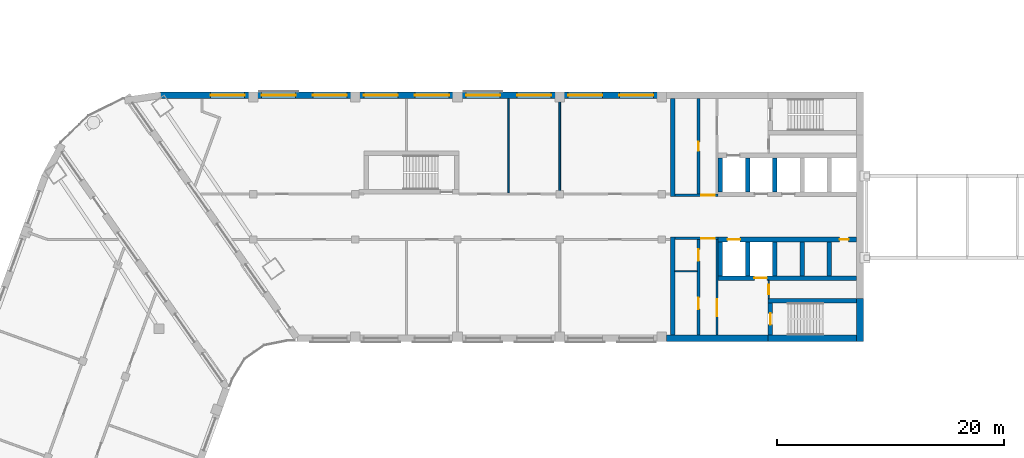
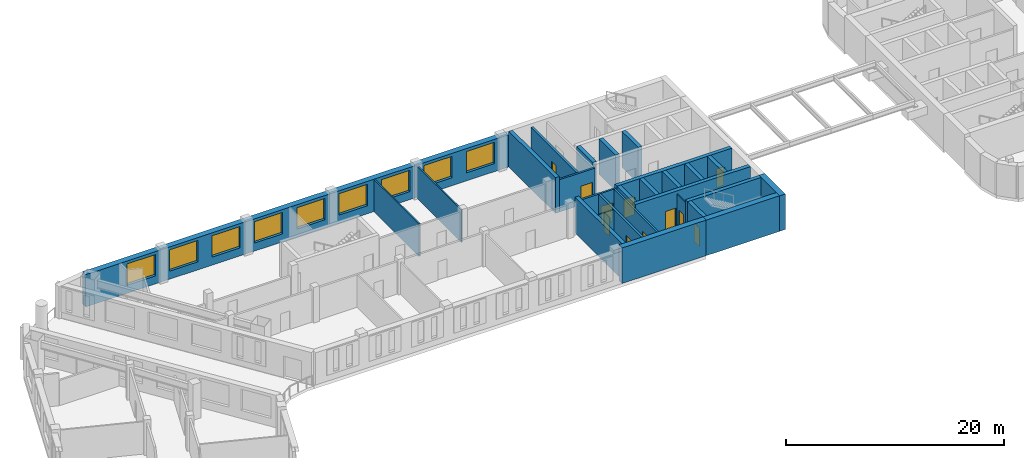
# One storey, part 6 of 14: 27 walls, 11 doors, 9 windows, 20 openings.
"""IFC4 building model written with IfcOpenShell, lengths in metres."""

from ifc_helpers import new_model, si_unit, direction, frame, frame_2d, origin, place, context, subcontext, project, spatial, rectangle, extrude, material, layer, layer_set, type_object, element, fill, save


model = new_model("IFC4")

# Units and contexts
model_context = context("Model", 3, precision=1e-05, world=origin(), true_north=direction((0.0, 1.0)))
body_context = subcontext(model_context, "Body", "Model", "MODEL_VIEW")
ifc_project = project(units=[si_unit("LENGTHUNIT", "METRE"), si_unit("AREAUNIT", "SQUARE_METRE"), si_unit("VOLUMEUNIT", "CUBIC_METRE"), si_unit("PLANEANGLEUNIT", "RADIAN"), si_unit("MASSUNIT", "GRAM", prefix="KILO")], contexts=[model_context])

# Site, building, storey
site_placement = place(None, origin())
site = spatial("IfcSite", under=ifc_project, at=site_placement, CompositionType="ELEMENT")
building_placement = place(site_placement, origin())
building = spatial("IfcBuilding", under=site, at=building_placement, Name="Skarvind Civic Tower", CompositionType="ELEMENT")
storey_placement = place(building_placement, frame((0.0, 0.0, 105.0)))
storey = spatial("IfcBuildingStorey", under=building, at=storey_placement, Name="L24", CompositionType="ELEMENT", Elevation=105.0)

# Wall, opening, door
ifc_material_1 = material(Name="Fire-rated masonry partition", Category="masonry")
ifc_layer_1 = layer(ifc_material_1, 0.199951171875)
ifc_layer_set_1 = layer_set([ifc_layer_1], Name="Core enclosure wall 200")
wall_type_1 = type_object("IfcWallType", Name="Core enclosure wall 200", PredefinedType="PARTITIONING", material=ifc_layer_set_1)
wall_1_placement = place(storey_placement, frame((95.199951171875, 126.10009765625, 0.0), z_axis=(0.0, 0.0, 1.0), x_axis=(-1.0, 0.0, 0.0)))
wall_1 = element("IfcWall", 1, at=wall_1_placement, inside=storey, type_object=wall_type_1, Name="Core wall C1", PredefinedType="PARTITIONING", context=body_context, shape_type="SweptSolid", body=[
    extrude(rectangle(XDim=3.800048828125, YDim=0.199951171875, at=frame_2d((1.89990234375, 0.0))), origin(), (0.0, 0.0, 1.0), 3.625),
])
opening_1_placement = place(wall_1_placement, frame((0.300048828125, 0.0, 0.0)))
opening_1 = element("IfcOpeningElement", 2, at=opening_1_placement, cuts=wall_1, Name="Opening D-L24-C1-05", PredefinedType="OPENING", context=body_context, shape_type="SweptSolid", body=[
    extrude(rectangle(XDim=1.199951171875, YDim=2.10009765625, at=frame_2d((0.60009765625, 1.050048828125))), frame((0.0, 0.10986328125, 0.0), z_axis=(0.0, -1.0, 0.0), x_axis=(1.0, 0.0, 0.0)), (0.0, 0.0, 1.0), 0.219970703125),
])
ifc_material_2 = material(Name="Fire-rated steel door", Category="steel")
door_type_1 = type_object("IfcDoorType", Name="Core lobby door 1200", OperationType="NOTDEFINED", PredefinedType="DOOR", material=ifc_material_2)
door_1_placement = place(opening_1_placement, origin())
door_1 = element("IfcDoor", 3, at=door_1_placement, inside=storey, type_object=door_type_1, Name="Fire door", OperationType="DOUBLE_DOOR_SINGLE_SWING", OverallHeight=2.10009765625, OverallWidth=1.199951171875, PredefinedType="DOOR", context=body_context, shape_type="SweptSolid", body=[
    extrude(rectangle(XDim=1.199951171875, YDim=2.10009765625, at=frame_2d((0.60009765625, 1.050048828125))), frame((0.0, 0.02490234375, 0.0), z_axis=(0.0, -1.0, 0.0), x_axis=(1.0, 0.0, 0.0)), (0.0, 0.0, 1.0), 0.050048828125),
])
fill(opening_1, door_1)

wall_2_placement = place(storey_placement, frame((95.10009765625, 117.60009765625, 0.0), z_axis=(0.0, 0.0, 1.0), x_axis=(0.0, 1.0, 0.0)))
wall_2 = element("IfcWall", 4, at=wall_2_placement, inside=storey, type_object=wall_type_1, Name="Core wall C1", PredefinedType="PARTITIONING", context=body_context, shape_type="SweptSolid", body=[
    extrude(rectangle(XDim=8.39990234375, YDim=0.199951171875, at=frame_2d((4.199951171875, 0.0))), origin(), (0.0, 0.0, 1.0), 3.625),
])
opening_2_placement = place(wall_2_placement, frame((1.64990234375, 0.0, 0.0)))
opening_2 = element("IfcOpeningElement", 5, at=opening_2_placement, cuts=wall_2, Name="Opening D-L24-C1-06", PredefinedType="OPENING", context=body_context, shape_type="SweptSolid", body=[
    extrude(rectangle(XDim=1.5, YDim=2.10009765625, at=frame_2d((0.75, 1.050048828125))), frame((0.0, 0.10986328125, 0.0), z_axis=(0.0, -1.0, 0.0), x_axis=(1.0, 0.0, 0.0)), (0.0, 0.0, 1.0), 0.219970703125),
])
door_type_2 = type_object("IfcDoorType", Name="Fire door 1500", OperationType="NOTDEFINED", PredefinedType="DOOR", material=ifc_material_2)
door_2_placement = place(opening_2_placement, origin())
door_2 = element("IfcDoor", 6, at=door_2_placement, inside=storey, type_object=door_type_2, Name="Fire door", OperationType="DOUBLE_DOOR_SINGLE_SWING", OverallHeight=2.10009765625, OverallWidth=1.5, PredefinedType="DOOR", context=body_context, shape_type="SweptSolid", body=[
    extrude(rectangle(XDim=1.5, YDim=2.10009765625, at=frame_2d((0.75, 1.050048828125))), frame((0.0, 0.02490234375, 0.0), z_axis=(0.0, -1.0, 0.0), x_axis=(1.0, 0.0, 0.0)), (0.0, 0.0, 1.0), 0.050048828125),
])
fill(opening_2, door_2)

wall_3_placement = place(storey_placement, frame((91.39990234375, 129.89990234375, 0.0), z_axis=(0.0, 0.0, 1.0), x_axis=(1.0, 0.0, 0.0)))
wall_3 = element("IfcWall", 7, at=wall_3_placement, inside=storey, type_object=wall_type_1, Name="Core wall C1", PredefinedType="PARTITIONING", context=body_context, shape_type="SweptSolid", body=[
    extrude(rectangle(XDim=3.800048828125, YDim=0.199951171875, at=frame_2d((1.89990234375, 0.0))), origin(), (0.0, 0.0, 1.0), 3.625),
])
opening_3_placement = place(wall_3_placement, frame((2.300048828125, 0.0, 0.0)))
opening_3 = element("IfcOpeningElement", 8, at=opening_3_placement, cuts=wall_3, Name="Opening D-L24-C1-11", PredefinedType="OPENING", context=body_context, shape_type="SweptSolid", body=[
    extrude(rectangle(XDim=1.199951171875, YDim=2.10009765625, at=frame_2d((0.60009765625, 1.050048828125))), frame((0.0, 0.10986328125, 0.0), z_axis=(0.0, -1.0, 0.0), x_axis=(1.0, 0.0, 0.0)), (0.0, 0.0, 1.0), 0.219970703125),
])
door_3_placement = place(opening_3_placement, origin())
door_3 = element("IfcDoor", 9, at=door_3_placement, inside=storey, type_object=door_type_1, Name="Fire door", OperationType="DOUBLE_DOOR_SINGLE_SWING", OverallHeight=2.10009765625, OverallWidth=1.199951171875, PredefinedType="DOOR", context=body_context, shape_type="SweptSolid", body=[
    extrude(rectangle(XDim=1.199951171875, YDim=2.10009765625, at=frame_2d((0.60009765625, 1.050048828125))), frame((0.0, 0.02490234375, 0.0), z_axis=(0.0, -1.0, 0.0), x_axis=(1.0, 0.0, 0.0)), (0.0, 0.0, 1.0), 0.050048828125),
])
fill(opening_3, door_3)

# Walls
ifc_material_3 = material(Name="Fire-rated plasterboard partition")
ifc_layer_2 = layer(ifc_material_3, 0.10009765625)
ifc_layer_set_2 = layer_set([ifc_layer_2], Name="Core partition wall 100")
wall_type_2 = type_object("IfcWallType", Name="Core partition wall 100", PredefinedType="PARTITIONING", material=ifc_layer_set_2)
wall_4_placement = place(storey_placement, frame((93.35009765625, 123.199951171875, 0.0), z_axis=(0.0, 0.0, 1.0), x_axis=(-1.0, 0.0, 0.0)))
element("IfcWall", 10, at=wall_4_placement, inside=storey, type_object=wall_type_2, Name="Core wall C1", PredefinedType="PARTITIONING", context=body_context, shape_type="SweptSolid", body=[
    extrude(rectangle(XDim=1.9501953125, YDim=0.10009765625, at=frame_2d((0.97509765625, 0.0))), origin(), (0.0, 0.0, 1.0), 3.625),
])
ifc_material_4 = material(Name="Concrete C80", Category="concrete")
ifc_layer_3 = layer(ifc_material_4, 0.39990234375)
ifc_layer_set_3 = layer_set([ifc_layer_3], Name="Core wall 400 C80")
wall_type_3 = type_object("IfcWallType", Name="Core wall 400 C80", PredefinedType="SHEAR", material=ifc_layer_set_3)
wall_5_placement = place(storey_placement, frame((107.39990234375, 120.60009765625, 0.0), z_axis=(0.0, 0.0, 1.0), x_axis=(-1.0, 0.0, 0.0)))
element("IfcWall", 11, at=wall_5_placement, inside=storey, type_object=wall_type_3, Name="Core wall C1 north stair inner L24", PredefinedType="SHEAR", context=body_context, shape_type="SweptSolid", body=[
    extrude(rectangle(XDim=7.7998046875, YDim=0.39990234375, at=frame_2d((3.89990234375, 0.0))), origin(), (0.0, 0.0, 1.0), 4.0),
])

# Wall, opening, door
wall_6_placement = place(storey_placement, frame((99.800048828125, 120.39990234375, 0.0), z_axis=(0.0, 0.0, 1.0), x_axis=(0.0, -1.0, 0.0)))
wall_6 = element("IfcWall", 12, at=wall_6_placement, inside=storey, type_object=wall_type_3, Name="Core wall C1 north stair end L24", PredefinedType="SHEAR", context=body_context, shape_type="SweptSolid", body=[
    extrude(rectangle(XDim=2.7998046875, YDim=0.39990234375, at=frame_2d((1.39990234375, 0.0))), origin(), (0.0, 0.0, 1.0), 4.0),
])
opening_4_placement = place(wall_6_placement, frame((0.89990234375, 0.0, 0.0)))
opening_4 = element("IfcOpeningElement", 13, at=opening_4_placement, cuts=wall_6, Name="Opening D-L24-C1-07", PredefinedType="OPENING", context=body_context, shape_type="SweptSolid", body=[
    extrude(rectangle(XDim=1.0, YDim=2.10009765625, at=frame_2d((0.5, 1.050048828125))), frame((0.0, 0.2099609375, 0.0), z_axis=(0.0, -1.0, 0.0), x_axis=(1.0, 0.0, 0.0)), (0.0, 0.0, 1.0), 0.419921875),
])
door_type_3 = type_object("IfcDoorType", Name="Fire door 1000", OperationType="NOTDEFINED", PredefinedType="DOOR", material=ifc_material_2)
door_4_placement = place(opening_4_placement, origin())
door_4 = element("IfcDoor", 14, at=door_4_placement, inside=storey, type_object=door_type_3, Name="Fire door", OperationType="SINGLE_SWING_LEFT", OverallHeight=2.10009765625, OverallWidth=1.0, PredefinedType="DOOR", context=body_context, shape_type="SweptSolid", body=[
    extrude(rectangle(XDim=1.0, YDim=2.10009765625, at=frame_2d((0.5, 1.050048828125))), frame((0.0, 0.02490234375, 0.0), z_axis=(0.0, -1.0, 0.0), x_axis=(1.0, 0.0, 0.0)), (0.0, 0.0, 1.0), 0.050048828125),
])
fill(opening_4, door_4)

# Walls
for number, where, z_axis, x_axis, name in (
    (15, (100.199951171875, 133.199951171875, 0.0), (0.0, 0.0, 1.0), (0.0, -1.0, 0.0), "Core wall C1 south lift row division 3 L24"),
    (16, (97.800048828125, 133.199951171875, 0.0), (0.0, 0.0, 1.0), (0.0, -1.0, 0.0), "Core wall C1 south lift row division 4 L24"),
    (17, (95.39990234375, 133.199951171875, 0.0), (0.0, 0.0, 1.0), (0.0, -1.0, 0.0), "Core wall C1 south lift row division 5 L24"),
):
    element("IfcWall", number, at=place(storey_placement, frame(where, z_axis=z_axis, x_axis=x_axis)), inside=storey, type_object=wall_type_3, Name=name, PredefinedType="SHEAR", context=body_context, shape_type="SweptSolid", body=[
        extrude(rectangle(XDim=3.0, YDim=0.39990234375, at=frame_2d((1.5, 0.0))), origin(), (0.0, 0.0, 1.0), 4.0),
    ])

# Wall, openings, doors
wall_7_placement = place(storey_placement, frame((107.39990234375, 126.0, 0.0), z_axis=(0.0, 0.0, 1.0), x_axis=(-1.0, 0.0, 0.0)))
wall_7 = element("IfcWall", 18, at=wall_7_placement, inside=storey, type_object=wall_type_3, Name="Core wall C1 north lift row front L24", PredefinedType="SHEAR", context=body_context, shape_type="SweptSolid", body=[
    extrude(rectangle(XDim=12.199951171875, YDim=0.39990234375, at=frame_2d((6.10009765625, 0.0))), origin(), (0.0, 0.0, 1.0), 4.0),
])
opening_5_placement = place(wall_7_placement, frame((10.25, 0.0, 0.0)))
opening_5 = element("IfcOpeningElement", 19, at=opening_5_placement, cuts=wall_7, Name="Opening LD26105", PredefinedType="OPENING", context=body_context, shape_type="SweptSolid", body=[
    extrude(rectangle(XDim=1.10009765625, YDim=2.10009765625, at=frame_2d((0.550048828125, 1.050048828125))), frame((0.0, 0.2099609375, 0.0), z_axis=(0.0, -1.0, 0.0), x_axis=(1.0, 0.0, 0.0)), (0.0, 0.0, 1.0), 0.419921875),
])
opening_6_placement = place(wall_7_placement, frame((0.699951171875, 0.0, 0.0)))
opening_6 = element("IfcOpeningElement", 20, at=opening_6_placement, cuts=wall_7, Name="Opening D-L24-C1-04", PredefinedType="OPENING", context=body_context, shape_type="SweptSolid", body=[
    extrude(rectangle(XDim=0.800048828125, YDim=2.10009765625, at=frame_2d((0.39990234375, 1.050048828125))), frame((0.0, 0.2099609375, 0.0), z_axis=(0.0, -1.0, 0.0), x_axis=(1.0, 0.0, 0.0)), (0.0, 0.0, 1.0), 0.419921875),
])
door_type_4 = type_object("IfcDoorType", Name="Core riser door 800", OperationType="NOTDEFINED", PredefinedType="DOOR", material=ifc_material_2)
door_5_placement = place(opening_6_placement, origin())
door_5 = element("IfcDoor", 21, at=door_5_placement, inside=storey, type_object=door_type_4, Name="Riser door", OperationType="SINGLE_SWING_LEFT", OverallHeight=2.10009765625, OverallWidth=0.800048828125, PredefinedType="DOOR", context=body_context, shape_type="SweptSolid", body=[
    extrude(rectangle(XDim=0.800048828125, YDim=2.10009765625, at=frame_2d((0.39990234375, 1.050048828125))), frame((0.0, 0.02490234375, 0.0), z_axis=(0.0, -1.0, 0.0), x_axis=(1.0, 0.0, 0.0)), (0.0, 0.0, 1.0), 0.050048828125),
])
fill(opening_6, door_5)
ifc_material_5 = material(Name="Stainless steel landing door", Category="steel")
door_type_5 = type_object("IfcDoorType", Name="Lift landing door 1100", OperationType="DOUBLE_DOOR_SLIDING", PredefinedType="DOOR", material=ifc_material_5)
door_6_placement = place(opening_5_placement, origin())
door_6 = element("IfcDoor", 22, at=door_6_placement, inside=storey, type_object=door_type_5, Name="Lift landing door", OperationType="DOUBLE_DOOR_SLIDING", OverallHeight=2.10009765625, OverallWidth=1.10009765625, PredefinedType="DOOR", context=body_context, shape_type="SweptSolid", body=[
    extrude(rectangle(XDim=1.10009765625, YDim=2.10009765625, at=frame_2d((0.550048828125, 1.050048828125))), frame((0.0, 0.02490234375, 0.0), z_axis=(0.0, -1.0, 0.0), x_axis=(1.0, 0.0, 0.0)), (0.0, 0.0, 1.0), 0.050048828125),
])
fill(opening_5, door_6)

# Wall, opening, door
wall_8_placement = place(storey_placement, frame((107.39990234375, 122.60009765625, 0.0), z_axis=(0.0, 0.0, 1.0), x_axis=(-1.0, 0.0, 0.0)))
wall_8 = element("IfcWall", 23, at=wall_8_placement, inside=storey, type_object=wall_type_3, Name="Core wall C1 north lift row back L24", PredefinedType="SHEAR", context=body_context, shape_type="SweptSolid", body=[
    extrude(rectangle(XDim=12.199951171875, YDim=0.39990234375, at=frame_2d((6.10009765625, 0.0))), origin(), (0.0, 0.0, 1.0), 4.0),
])
opening_7_placement = place(wall_8_placement, frame((7.89990234375, 0.0, 0.0)))
opening_7 = element("IfcOpeningElement", 24, at=opening_7_placement, cuts=wall_8, Name="Opening LD26104", PredefinedType="OPENING", context=body_context, shape_type="SweptSolid", body=[
    extrude(rectangle(XDim=1.10009765625, YDim=2.10009765625, at=frame_2d((0.550048828125, 1.050048828125))), frame((0.0, 0.2099609375, 0.0), z_axis=(0.0, -1.0, 0.0), x_axis=(1.0, 0.0, 0.0)), (0.0, 0.0, 1.0), 0.419921875),
])
door_7_placement = place(opening_7_placement, origin())
door_7 = element("IfcDoor", 25, at=door_7_placement, inside=storey, type_object=door_type_5, Name="Lift landing door", OperationType="DOUBLE_DOOR_SLIDING", OverallHeight=2.10009765625, OverallWidth=1.10009765625, PredefinedType="DOOR", context=body_context, shape_type="SweptSolid", body=[
    extrude(rectangle(XDim=1.10009765625, YDim=2.10009765625, at=frame_2d((0.550048828125, 1.050048828125))), frame((0.0, 0.02490234375, 0.0), z_axis=(0.0, -1.0, 0.0), x_axis=(1.0, 0.0, 0.0)), (0.0, 0.0, 1.0), 0.050048828125),
])
fill(opening_7, door_7)

# Walls
for number, where, z_axis, x_axis, name in (
    (26, (105.0, 125.800048828125, 0.0), (0.0, 0.0, 1.0), (0.0, -1.0, 0.0), "Core wall C1 north lift row division 1 L24"),
    (27, (102.60009765625, 125.800048828125, 0.0), (0.0, 0.0, 1.0), (0.0, -1.0, 0.0), "Core wall C1 north lift row division 2 L24"),
    (28, (100.199951171875, 125.800048828125, 0.0), (0.0, 0.0, 1.0), (0.0, -1.0, 0.0), "Core wall C1 north lift row division 3 L24"),
    (29, (97.800048828125, 125.800048828125, 0.0), (0.0, 0.0, 1.0), (0.0, -1.0, 0.0), "Core wall C1 north lift row division 4 L24"),
    (30, (95.39990234375, 125.800048828125, 0.0), (0.0, 0.0, 1.0), (0.0, -1.0, 0.0), "Core wall C1 north lift row division 5 L24"),
):
    element("IfcWall", number, at=place(storey_placement, frame(where, z_axis=z_axis, x_axis=x_axis)), inside=storey, type_object=wall_type_3, Name=name, PredefinedType="SHEAR", context=body_context, shape_type="SweptSolid", body=[
        extrude(rectangle(XDim=3.0, YDim=0.39990234375, at=frame_2d((1.5, 0.0))), origin(), (0.0, 0.0, 1.0), 4.0),
    ])
for number, where, z_axis, x_axis, name in (
    (31, (91.199951171875, 138.39990234375, 0.0), (0.0, 0.0, 1.0), (0.0, -1.0, 0.0), "Core wall C1 south inner face L24"),
    (32, (91.199951171875, 126.199951171875, 0.0), (0.0, 0.0, 1.0), (0.0, -1.0, 0.0), "Core wall C1 north inner face L24"),
):
    element("IfcWall", number, at=place(storey_placement, frame(where, z_axis=z_axis, x_axis=x_axis)), inside=storey, type_object=wall_type_3, Name=name, PredefinedType="SHEAR", context=body_context, shape_type="SweptSolid", body=[
        extrude(rectangle(XDim=8.599853515625, YDim=0.39990234375, at=frame_2d((4.2998046875, 0.0))), origin(), (0.0, 0.0, 1.0), 4.0),
    ])
ifc_layer_4 = layer(ifc_material_4, 0.60009765625)
ifc_layer_set_4 = layer_set([ifc_layer_4], Name="Core wall 600 C80")
wall_type_4 = type_object("IfcWallType", Name="Core wall 600 C80", PredefinedType="SHEAR", material=ifc_layer_set_4)
wall_9_placement = place(storey_placement, frame((107.699951171875, 120.800048828125, 0.0), z_axis=(0.0, 0.0, 1.0), x_axis=(0.0, -1.0, 0.0)))
element("IfcWall", 33, at=wall_9_placement, inside=storey, type_object=wall_type_4, Name="Core wall C1 tip at the north stair L24", PredefinedType="SHEAR", context=body_context, shape_type="SweptSolid", body=[
    extrude(rectangle(XDim=3.800048828125, YDim=0.60009765625, at=frame_2d((1.89990234375, 0.0))), origin(), (0.0, 0.0, 1.0), 4.0),
])
wall_10_placement = place(storey_placement, frame((107.39990234375, 117.300048828125, 0.0), z_axis=(0.0, 0.0, 1.0), x_axis=(-1.0, 0.0, 0.0)))
element("IfcWall", 34, at=wall_10_placement, inside=storey, type_object=wall_type_4, Name="Core wall C1 north side at the stair L24", PredefinedType="SHEAR", context=body_context, shape_type="SweptSolid", body=[
    extrude(rectangle(XDim=7.7998046875, YDim=0.60009765625, at=frame_2d((3.89990234375, 0.0))), origin(), (0.0, 0.0, 1.0), 4.0),
])
wall_11_placement = place(storey_placement, frame((99.60009765625, 117.300048828125, 0.0), z_axis=(0.0, 0.0, 1.0), x_axis=(-1.0, 0.0, 0.0)))
element("IfcWall", 35, at=wall_11_placement, inside=storey, type_object=wall_type_4, Name="Core wall C1 north side L24", PredefinedType="SHEAR", context=body_context, shape_type="SweptSolid", body=[
    extrude(rectangle(XDim=8.925048828125, YDim=0.60009765625, at=frame_2d((4.46240234375, 0.0))), origin(), (0.0, 0.0, 1.0), 4.0),
])
ifc_material_6 = material(Name="Plasterboard partition on steel studs", Category="steel")
ifc_layer_5 = layer(ifc_material_6, 0.14990234375)
ifc_layer_set_5 = layer_set([ifc_layer_5], Name="PARTITION 150")
wall_type_5 = type_object("IfcWallType", Name="PARTITION 150", PredefinedType="PARTITIONING", material=ifc_layer_set_5)
for number, where, z_axis, x_axis, name in (
    (36, (76.75, 130.10009765625, 0.0), (0.0, 0.0, 1.0), (0.0, 1.0, 0.0), "Portal partition L24 024"),
    (37, (81.25, 130.10009765625, 0.0), (0.0, 0.0, 1.0), (0.0, 1.0, 0.0), "Portal partition L24 026"),
):
    element("IfcWall", number, at=place(storey_placement, frame(where, z_axis=z_axis, x_axis=x_axis)), inside=storey, type_object=wall_type_5, Name=name, PredefinedType="PARTITIONING", context=body_context, shape_type="SweptSolid", body=[
        extrude(rectangle(XDim=8.2998046875, YDim=0.14990234375, at=frame_2d((4.14990234375, 0.0))), origin(), (0.0, 0.0, 1.0), 3.625),
    ])

# Wall, opening, door
ifc_layer_6 = layer(ifc_material_1, 0.125)
ifc_layer_set_6 = layer_set([ifc_layer_6], Name="Riser wall 125")
wall_type_6 = type_object("IfcWallType", Name="Riser wall 125", PredefinedType="PARTITIONING", material=ifc_layer_set_6)
wall_12_placement = place(storey_placement, frame((99.66259765625, 120.800048828125, 0.0), z_axis=(0.0, 0.0, 1.0), x_axis=(0.0, 1.0, 0.0)))
wall_12 = element("IfcWall", 38, at=wall_12_placement, inside=storey, type_object=wall_type_6, Name="Core wall C1", PredefinedType="PARTITIONING", context=body_context, shape_type="SweptSolid", body=[
    extrude(rectangle(XDim=1.599853515625, YDim=0.125, at=frame_2d((0.7998046875, 0.0))), origin(), (0.0, 0.0, 1.0), 3.625),
])
opening_8_placement = place(wall_12_placement, frame((0.39990234375, 0.0, 0.0)))
opening_8 = element("IfcOpeningElement", 39, at=opening_8_placement, cuts=wall_12, Name="Opening D-L24-C1-08", PredefinedType="OPENING", context=body_context, shape_type="SweptSolid", body=[
    extrude(rectangle(XDim=0.800048828125, YDim=2.10009765625, at=frame_2d((0.39990234375, 1.050048828125))), frame((0.0, 0.072509765625, 0.0), z_axis=(0.0, -1.0, 0.0), x_axis=(1.0, 0.0, 0.0)), (0.0, 0.0, 1.0), 0.14501953125),
])
door_8_placement = place(opening_8_placement, origin())
door_8 = element("IfcDoor", 40, at=door_8_placement, inside=storey, type_object=door_type_4, Name="Riser door", OperationType="SINGLE_SWING_RIGHT", OverallHeight=2.10009765625, OverallWidth=0.800048828125, PredefinedType="DOOR", context=body_context, shape_type="SweptSolid", body=[
    extrude(rectangle(XDim=0.800048828125, YDim=2.10009765625, at=frame_2d((0.39990234375, 1.050048828125))), frame((0.0, 0.02490234375, 0.0), z_axis=(0.0, -1.0, 0.0), x_axis=(1.0, 0.0, 0.0)), (0.0, 0.0, 1.0), 0.050048828125),
])
fill(opening_8, door_8)

# Wall, openings, doors
ifc_layer_7 = layer(ifc_material_1, 0.25)
ifc_layer_set_7 = layer_set([ifc_layer_7], Name="Service block wall 250")
wall_type_7 = type_object("IfcWallType", Name="Service block wall 250", PredefinedType="PARTITIONING", material=ifc_layer_set_7)
wall_13_placement = place(storey_placement, frame((93.47509765625, 117.60009765625, 0.0), z_axis=(0.0, 0.0, 1.0), x_axis=(0.0, 1.0, 0.0)))
wall_13 = element("IfcWall", 41, at=wall_13_placement, inside=storey, type_object=wall_type_7, Name="Core wall C1", PredefinedType="PARTITIONING", context=body_context, shape_type="SweptSolid", body=[
    extrude(rectangle(XDim=8.39990234375, YDim=0.25, at=frame_2d((4.199951171875, 0.0))), origin(), (0.0, 0.0, 1.0), 3.625),
])
opening_9_placement = place(wall_13_placement, frame((6.52490234375, 0.0, 0.0)))
opening_9 = element("IfcOpeningElement", 42, at=opening_9_placement, cuts=wall_13, Name="Opening D-L24-C1-09", PredefinedType="OPENING", context=body_context, shape_type="SweptSolid", body=[
    extrude(rectangle(XDim=1.0, YDim=2.10009765625, at=frame_2d((0.5, 1.050048828125))), frame((0.0, 0.135009765625, 0.0), z_axis=(0.0, -1.0, 0.0), x_axis=(1.0, 0.0, 0.0)), (0.0, 0.0, 1.0), 0.27001953125),
])
opening_10_placement = place(wall_13_placement, frame((2.27490234375, 0.0, 0.0)))
opening_10 = element("IfcOpeningElement", 43, at=opening_10_placement, cuts=wall_13, Name="Opening D-L24-C1-10", PredefinedType="OPENING", context=body_context, shape_type="SweptSolid", body=[
    extrude(rectangle(XDim=1.0, YDim=2.10009765625, at=frame_2d((0.5, 1.050048828125))), frame((0.0, 0.135009765625, 0.0), z_axis=(0.0, -1.0, 0.0), x_axis=(1.0, 0.0, 0.0)), (0.0, 0.0, 1.0), 0.27001953125),
])
door_9_placement = place(opening_9_placement, origin())
door_9 = element("IfcDoor", 44, at=door_9_placement, inside=storey, type_object=door_type_3, Name="Fire door", OperationType="SINGLE_SWING_LEFT", OverallHeight=2.10009765625, OverallWidth=1.0, PredefinedType="DOOR", context=body_context, shape_type="SweptSolid", body=[
    extrude(rectangle(XDim=1.0, YDim=2.10009765625, at=frame_2d((0.5, 1.050048828125))), frame((0.0, 0.02490234375, 0.0), z_axis=(0.0, -1.0, 0.0), x_axis=(1.0, 0.0, 0.0)), (0.0, 0.0, 1.0), 0.050048828125),
])
fill(opening_9, door_9)
door_10_placement = place(opening_10_placement, origin())
door_10 = element("IfcDoor", 45, at=door_10_placement, inside=storey, type_object=door_type_3, Name="Fire door", OperationType="SINGLE_SWING_RIGHT", OverallHeight=2.10009765625, OverallWidth=1.0, PredefinedType="DOOR", context=body_context, shape_type="SweptSolid", body=[
    extrude(rectangle(XDim=1.0, YDim=2.10009765625, at=frame_2d((0.5, 1.050048828125))), frame((0.0, 0.02490234375, 0.0), z_axis=(0.0, -1.0, 0.0), x_axis=(1.0, 0.0, 0.0)), (0.0, 0.0, 1.0), 0.050048828125),
])
fill(opening_10, door_10)

# Wall, opening, door
wall_14_placement = place(storey_placement, frame((93.47509765625, 130.0, 0.0), z_axis=(0.0, 0.0, 1.0), x_axis=(0.0, 1.0, 0.0)))
wall_14 = element("IfcWall", 46, at=wall_14_placement, inside=storey, type_object=wall_type_7, Name="Core wall C1", PredefinedType="PARTITIONING", context=body_context, shape_type="SweptSolid", body=[
    extrude(rectangle(XDim=8.39990234375, YDim=0.25, at=frame_2d((4.199951171875, 0.0))), origin(), (0.0, 0.0, 1.0), 3.625),
])
opening_11_placement = place(wall_14_placement, frame((3.800048828125, 0.0, 0.0)))
opening_11 = element("IfcOpeningElement", 47, at=opening_11_placement, cuts=wall_14, Name="Opening D-L24-C1-15", PredefinedType="OPENING", context=body_context, shape_type="SweptSolid", body=[
    extrude(rectangle(XDim=0.800048828125, YDim=2.10009765625, at=frame_2d((0.39990234375, 1.050048828125))), frame((0.0, 0.135009765625, 0.0), z_axis=(0.0, -1.0, 0.0), x_axis=(1.0, 0.0, 0.0)), (0.0, 0.0, 1.0), 0.27001953125),
])
door_11_placement = place(opening_11_placement, origin())
door_11 = element("IfcDoor", 48, at=door_11_placement, inside=storey, type_object=door_type_4, Name="Riser door", OperationType="SINGLE_SWING_RIGHT", OverallHeight=2.10009765625, OverallWidth=0.800048828125, PredefinedType="DOOR", context=body_context, shape_type="SweptSolid", body=[
    extrude(rectangle(XDim=0.800048828125, YDim=2.10009765625, at=frame_2d((0.39990234375, 1.050048828125))), frame((0.0, 0.02490234375, 0.0), z_axis=(0.0, -1.0, 0.0), x_axis=(1.0, 0.0, 0.0)), (0.0, 0.0, 1.0), 0.050048828125),
])
fill(opening_11, door_11)

# Wall, openings, windows
ifc_material_7 = material(Name="Limestone masonry cladding on insulated backing", Category="masonry")
ifc_layer_8 = layer(ifc_material_7, 0.60009765625)
ifc_layer_set_8 = layer_set([ifc_layer_8], Name="WX1 STONE FACADE WALL 600")
wall_type_8 = type_object("IfcWallType", Name="WX1 STONE FACADE WALL 600", PredefinedType="SOLIDWALL", material=ifc_layer_set_8)
wall_15_placement = place(storey_placement, frame((46.095458984375, 138.699951171875, 0.0), z_axis=(0.0, 0.0, 1.0), x_axis=(1.0, 0.0, 0.0)))
wall_15 = element("IfcWall", 49, at=wall_15_placement, inside=storey, type_object=wall_type_8, Name="STONE FACADE WALL", PredefinedType="SOLIDWALL", context=body_context, shape_type="SweptSolid", body=[
    extrude(rectangle(XDim=44.884521484375, YDim=0.60009765625, at=frame_2d((22.4423828125, 0.0))), origin(), (0.0, 0.0, 1.0), 3.625),
])
opening_12_placement = place(wall_15_placement, frame((4.404541015625, 0.0, 0.89990234375)))
opening_12 = element("IfcOpeningElement", 50, at=opening_12_placement, cuts=wall_15, Name="Opening WN1", PredefinedType="OPENING", context=body_context, shape_type="SweptSolid", body=[
    extrude(rectangle(XDim=3.0, YDim=2.39990234375, at=frame_2d((1.5, 1.199951171875))), frame((0.0, 0.31005859375, 0.0), z_axis=(0.0, -1.0, 0.0), x_axis=(1.0, 0.0, 0.0)), (0.0, 0.0, 1.0), 0.6201171875),
])
opening_13_placement = place(wall_15_placement, frame((8.904541015625, 0.0, 0.89990234375)))
opening_13 = element("IfcOpeningElement", 51, at=opening_13_placement, cuts=wall_15, Name="Opening WN1", PredefinedType="OPENING", context=body_context, shape_type="SweptSolid", body=[
    extrude(rectangle(XDim=3.0, YDim=2.39990234375, at=frame_2d((1.5, 1.199951171875))), frame((0.0, 0.31005859375, 0.0), z_axis=(0.0, -1.0, 0.0), x_axis=(1.0, 0.0, 0.0)), (0.0, 0.0, 1.0), 0.6201171875),
])
opening_14_placement = place(wall_15_placement, frame((13.404541015625, 0.0, 0.89990234375)))
opening_14 = element("IfcOpeningElement", 52, at=opening_14_placement, cuts=wall_15, Name="Opening WN1", PredefinedType="OPENING", context=body_context, shape_type="SweptSolid", body=[
    extrude(rectangle(XDim=3.0, YDim=2.39990234375, at=frame_2d((1.5, 1.199951171875))), frame((0.0, 0.31005859375, 0.0), z_axis=(0.0, -1.0, 0.0), x_axis=(1.0, 0.0, 0.0)), (0.0, 0.0, 1.0), 0.6201171875),
])
opening_15_placement = place(wall_15_placement, frame((17.904541015625, 0.0, 0.89990234375)))
opening_15 = element("IfcOpeningElement", 53, at=opening_15_placement, cuts=wall_15, Name="Opening WN1", PredefinedType="OPENING", context=body_context, shape_type="SweptSolid", body=[
    extrude(rectangle(XDim=3.0, YDim=2.39990234375, at=frame_2d((1.5, 1.199951171875))), frame((0.0, 0.31005859375, 0.0), z_axis=(0.0, -1.0, 0.0), x_axis=(1.0, 0.0, 0.0)), (0.0, 0.0, 1.0), 0.6201171875),
])
opening_16_placement = place(wall_15_placement, frame((22.404541015625, 0.0, 0.89990234375)))
opening_16 = element("IfcOpeningElement", 54, at=opening_16_placement, cuts=wall_15, Name="Opening WN1", PredefinedType="OPENING", context=body_context, shape_type="SweptSolid", body=[
    extrude(rectangle(XDim=3.0, YDim=2.39990234375, at=frame_2d((1.5, 1.199951171875))), frame((0.0, 0.31005859375, 0.0), z_axis=(0.0, -1.0, 0.0), x_axis=(1.0, 0.0, 0.0)), (0.0, 0.0, 1.0), 0.6201171875),
])
opening_17_placement = place(wall_15_placement, frame((26.904541015625, 0.0, 0.89990234375)))
opening_17 = element("IfcOpeningElement", 55, at=opening_17_placement, cuts=wall_15, Name="Opening WN1", PredefinedType="OPENING", context=body_context, shape_type="SweptSolid", body=[
    extrude(rectangle(XDim=3.0, YDim=2.39990234375, at=frame_2d((1.5, 1.199951171875))), frame((0.0, 0.31005859375, 0.0), z_axis=(0.0, -1.0, 0.0), x_axis=(1.0, 0.0, 0.0)), (0.0, 0.0, 1.0), 0.6201171875),
])
opening_18_placement = place(wall_15_placement, frame((31.404541015625, 0.0, 0.89990234375)))
opening_18 = element("IfcOpeningElement", 56, at=opening_18_placement, cuts=wall_15, Name="Opening WN1", PredefinedType="OPENING", context=body_context, shape_type="SweptSolid", body=[
    extrude(rectangle(XDim=3.0, YDim=2.39990234375, at=frame_2d((1.5, 1.199951171875))), frame((0.0, 0.31005859375, 0.0), z_axis=(0.0, -1.0, 0.0), x_axis=(1.0, 0.0, 0.0)), (0.0, 0.0, 1.0), 0.6201171875),
])
opening_19_placement = place(wall_15_placement, frame((35.904541015625, 0.0, 0.89990234375)))
opening_19 = element("IfcOpeningElement", 57, at=opening_19_placement, cuts=wall_15, Name="Opening WN1", PredefinedType="OPENING", context=body_context, shape_type="SweptSolid", body=[
    extrude(rectangle(XDim=3.0, YDim=2.39990234375, at=frame_2d((1.5, 1.199951171875))), frame((0.0, 0.31005859375, 0.0), z_axis=(0.0, -1.0, 0.0), x_axis=(1.0, 0.0, 0.0)), (0.0, 0.0, 1.0), 0.6201171875),
])
opening_20_placement = place(wall_15_placement, frame((40.404541015625, 0.0, 0.89990234375)))
opening_20 = element("IfcOpeningElement", 58, at=opening_20_placement, cuts=wall_15, Name="Opening WN1", PredefinedType="OPENING", context=body_context, shape_type="SweptSolid", body=[
    extrude(rectangle(XDim=3.0, YDim=2.39990234375, at=frame_2d((1.5, 1.199951171875))), frame((0.0, 0.31005859375, 0.0), z_axis=(0.0, -1.0, 0.0), x_axis=(1.0, 0.0, 0.0)), (0.0, 0.0, 1.0), 0.6201171875),
])
ifc_material_8 = material(Name="Timber frame, double glazing, timber-lined reveal", Category="wood")
window_type = type_object("IfcWindowType", Name="WN1 PUNCHED STONE WINDOW 3000 x 2400", PartitioningType="SINGLE_PANEL", PredefinedType="WINDOW", material=ifc_material_8)
window_1_placement = place(opening_12_placement, origin())
window_1 = element("IfcWindow", 59, at=window_1_placement, inside=storey, type_object=window_type, Name="WN1 WINDOW", OverallHeight=2.39990234375, OverallWidth=3.0, PartitioningType="SINGLE_PANEL", PredefinedType="WINDOW", context=body_context, shape_type="SweptSolid", body=[
    extrude(rectangle(XDim=3.0, YDim=2.39990234375, at=frame_2d((1.5, 1.199951171875))), frame((0.0, 0.030029296875, 0.0), z_axis=(0.0, -1.0, 0.0), x_axis=(1.0, 0.0, 0.0)), (0.0, 0.0, 1.0), 0.06005859375),
])
fill(opening_12, window_1)
window_2_placement = place(opening_13_placement, origin())
window_2 = element("IfcWindow", 60, at=window_2_placement, inside=storey, type_object=window_type, Name="WN1 WINDOW", OverallHeight=2.39990234375, OverallWidth=3.0, PartitioningType="SINGLE_PANEL", PredefinedType="WINDOW", context=body_context, shape_type="SweptSolid", body=[
    extrude(rectangle(XDim=3.0, YDim=2.39990234375, at=frame_2d((1.5, 1.199951171875))), frame((0.0, 0.030029296875, 0.0), z_axis=(0.0, -1.0, 0.0), x_axis=(1.0, 0.0, 0.0)), (0.0, 0.0, 1.0), 0.06005859375),
])
fill(opening_13, window_2)
window_3_placement = place(opening_14_placement, origin())
window_3 = element("IfcWindow", 61, at=window_3_placement, inside=storey, type_object=window_type, Name="WN1 WINDOW", OverallHeight=2.39990234375, OverallWidth=3.0, PartitioningType="SINGLE_PANEL", PredefinedType="WINDOW", context=body_context, shape_type="SweptSolid", body=[
    extrude(rectangle(XDim=3.0, YDim=2.39990234375, at=frame_2d((1.5, 1.199951171875))), frame((0.0, 0.030029296875, 0.0), z_axis=(0.0, -1.0, 0.0), x_axis=(1.0, 0.0, 0.0)), (0.0, 0.0, 1.0), 0.06005859375),
])
fill(opening_14, window_3)
window_4_placement = place(opening_15_placement, origin())
window_4 = element("IfcWindow", 62, at=window_4_placement, inside=storey, type_object=window_type, Name="WN1 WINDOW", OverallHeight=2.39990234375, OverallWidth=3.0, PartitioningType="SINGLE_PANEL", PredefinedType="WINDOW", context=body_context, shape_type="SweptSolid", body=[
    extrude(rectangle(XDim=3.0, YDim=2.39990234375, at=frame_2d((1.5, 1.199951171875))), frame((0.0, 0.030029296875, 0.0), z_axis=(0.0, -1.0, 0.0), x_axis=(1.0, 0.0, 0.0)), (0.0, 0.0, 1.0), 0.06005859375),
])
fill(opening_15, window_4)
window_5_placement = place(opening_16_placement, origin())
window_5 = element("IfcWindow", 63, at=window_5_placement, inside=storey, type_object=window_type, Name="WN1 WINDOW", OverallHeight=2.39990234375, OverallWidth=3.0, PartitioningType="SINGLE_PANEL", PredefinedType="WINDOW", context=body_context, shape_type="SweptSolid", body=[
    extrude(rectangle(XDim=3.0, YDim=2.39990234375, at=frame_2d((1.5, 1.199951171875))), frame((0.0, 0.030029296875, 0.0), z_axis=(0.0, -1.0, 0.0), x_axis=(1.0, 0.0, 0.0)), (0.0, 0.0, 1.0), 0.06005859375),
])
fill(opening_16, window_5)
window_6_placement = place(opening_17_placement, origin())
window_6 = element("IfcWindow", 64, at=window_6_placement, inside=storey, type_object=window_type, Name="WN1 WINDOW", OverallHeight=2.39990234375, OverallWidth=3.0, PartitioningType="SINGLE_PANEL", PredefinedType="WINDOW", context=body_context, shape_type="SweptSolid", body=[
    extrude(rectangle(XDim=3.0, YDim=2.39990234375, at=frame_2d((1.5, 1.199951171875))), frame((0.0, 0.030029296875, 0.0), z_axis=(0.0, -1.0, 0.0), x_axis=(1.0, 0.0, 0.0)), (0.0, 0.0, 1.0), 0.06005859375),
])
fill(opening_17, window_6)
window_7_placement = place(opening_18_placement, origin())
window_7 = element("IfcWindow", 65, at=window_7_placement, inside=storey, type_object=window_type, Name="WN1 WINDOW", OverallHeight=2.39990234375, OverallWidth=3.0, PartitioningType="SINGLE_PANEL", PredefinedType="WINDOW", context=body_context, shape_type="SweptSolid", body=[
    extrude(rectangle(XDim=3.0, YDim=2.39990234375, at=frame_2d((1.5, 1.199951171875))), frame((0.0, 0.030029296875, 0.0), z_axis=(0.0, -1.0, 0.0), x_axis=(1.0, 0.0, 0.0)), (0.0, 0.0, 1.0), 0.06005859375),
])
fill(opening_18, window_7)
window_8_placement = place(opening_19_placement, origin())
window_8 = element("IfcWindow", 66, at=window_8_placement, inside=storey, type_object=window_type, Name="WN1 WINDOW", OverallHeight=2.39990234375, OverallWidth=3.0, PartitioningType="SINGLE_PANEL", PredefinedType="WINDOW", context=body_context, shape_type="SweptSolid", body=[
    extrude(rectangle(XDim=3.0, YDim=2.39990234375, at=frame_2d((1.5, 1.199951171875))), frame((0.0, 0.030029296875, 0.0), z_axis=(0.0, -1.0, 0.0), x_axis=(1.0, 0.0, 0.0)), (0.0, 0.0, 1.0), 0.06005859375),
])
fill(opening_19, window_8)
window_9_placement = place(opening_20_placement, origin())
window_9 = element("IfcWindow", 67, at=window_9_placement, inside=storey, type_object=window_type, Name="WN1 WINDOW", OverallHeight=2.39990234375, OverallWidth=3.0, PartitioningType="SINGLE_PANEL", PredefinedType="WINDOW", context=body_context, shape_type="SweptSolid", body=[
    extrude(rectangle(XDim=3.0, YDim=2.39990234375, at=frame_2d((1.5, 1.199951171875))), frame((0.0, 0.030029296875, 0.0), z_axis=(0.0, -1.0, 0.0), x_axis=(1.0, 0.0, 0.0)), (0.0, 0.0, 1.0), 0.06005859375),
])
fill(opening_20, window_9)

save(model, "model.ifc")
